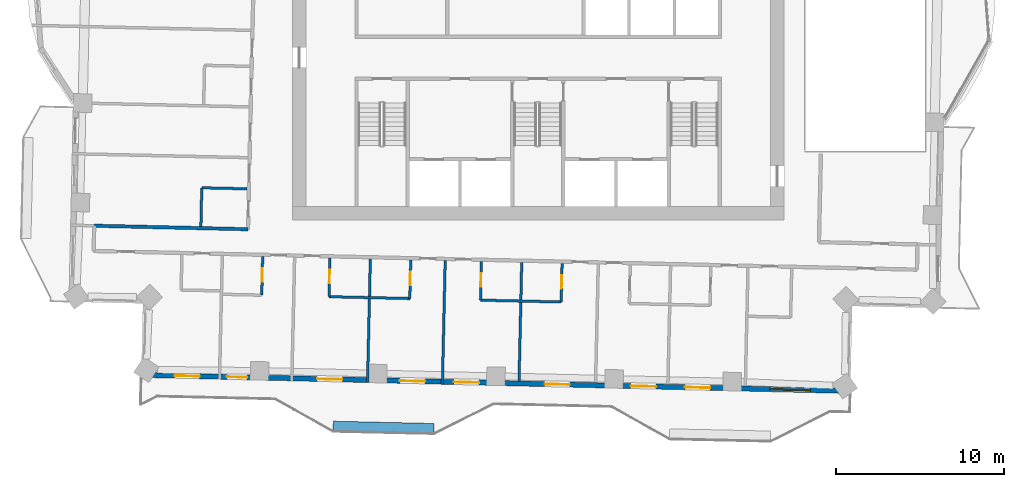
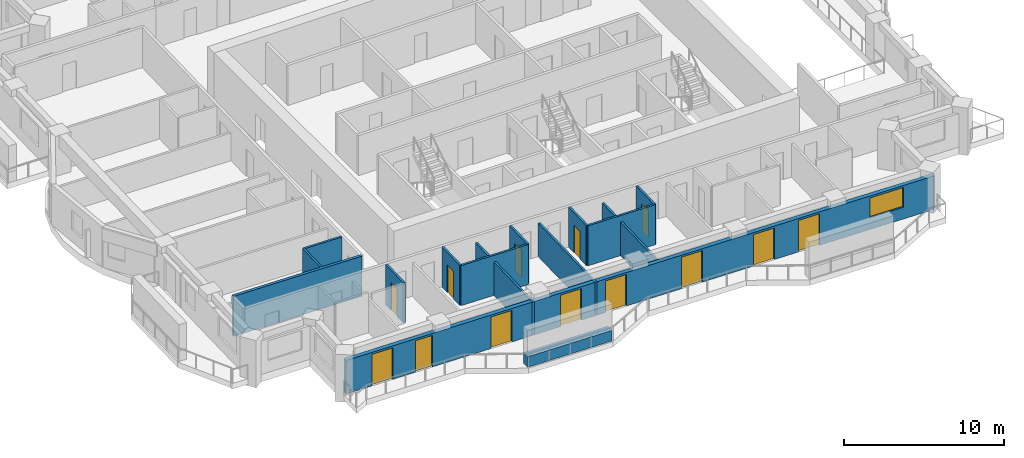
# One storey, part 6 of 16: 15 walls, 13 doors, 1 window, 14 openings.
"""IFC4 building model written with IfcOpenShell, lengths in metres."""

from ifc_helpers import new_model, si_unit, direction, frame, frame_2d, origin, place, context, subcontext, project, spatial, rectangle, extrude, material, layer, layer_set, type_object, element, fill, save


model = new_model("IFC4")

# Units and contexts
model_context = context("Model", 3, precision=1e-05, world=origin(), true_north=direction((0.0, 1.0)))
body_context = subcontext(model_context, "Body", "Model", "MODEL_VIEW")
ifc_project = project(units=[si_unit("LENGTHUNIT", "METRE"), si_unit("AREAUNIT", "SQUARE_METRE"), si_unit("VOLUMEUNIT", "CUBIC_METRE"), si_unit("PLANEANGLEUNIT", "RADIAN"), si_unit("MASSUNIT", "GRAM", prefix="KILO")], contexts=[model_context])

# Site, building, storey
site_placement = place(None, origin())
site = spatial("IfcSite", under=ifc_project, at=site_placement, CompositionType="ELEMENT")
building_placement = place(site_placement, origin())
building = spatial("IfcBuilding", under=site, at=building_placement, Name="Mangrove Gate Tower", CompositionType="ELEMENT")
storey_placement = place(building_placement, frame((0.0, 0.0, 212.300048828125)))
storey = spatial("IfcBuildingStorey", under=building, at=storey_placement, Name="L54", CompositionType="ELEMENT", Elevation=212.300048828125)

# Wall
ifc_material_1 = material(Name="Gypsum board on steel stud, EI 60", Category="steel")
ifc_layer_1 = layer(ifc_material_1, 0.199951171875)
ifc_layer_set_1 = layer_set([ifc_layer_1], Name="Corridor wall EI 60")
wall_type_1 = type_object("IfcWallType", Name="Corridor wall EI 60", PredefinedType="PARTITIONING", material=ifc_layer_set_1)
wall_1_placement = place(storey_placement, frame((-26.386962890625, -11.94091796875, 0.0), z_axis=(0.0, 0.0, 1.0), x_axis=(0.999741076645, -0.022754772455, 0.0)))
element("IfcWall", 1, at=wall_1_placement, inside=storey, type_object=wall_type_1, Name="WALL-L54-028", PredefinedType="PARTITIONING", context=body_context, shape_type="SweptSolid", body=[
    extrude(rectangle(XDim=9.141357421875, YDim=0.199951171875, at=frame_2d((4.57080078125, 0.0))), origin(), (0.0, 0.0, 1.0), 3.050048828125),
])

# Wall, openings, doors, window
ifc_material_2 = material(Name="Limestone", Category="masonry")
ifc_layer_2 = layer(ifc_material_2, 0.0400390625, Name="Limestone cladding")
ifc_material_3 = material(Name="Ventilated air gap")
ifc_layer_3 = layer(ifc_material_3, 0.0400390625, Name="Ventilated cavity")
ifc_material_4 = material(Name="Mineral wool insulation")
ifc_layer_4 = layer(ifc_material_4, 0.06005859375, Name="Insulation")
ifc_material_5 = material(Name="Breather membrane")
ifc_layer_5 = layer(ifc_material_5, 0.001953125, Name="Breather membrane")
ifc_material_6 = material(Name="Concrete C20/25 blockwork", Category="masonry")
ifc_layer_6 = layer(ifc_material_6, 0.14990234375, Name="Blockwork backing wall")
ifc_material_7 = material(Name="Gypsum plaster")
ifc_layer_7 = layer(ifc_material_7, 0.008056640625, Name="Internal plaster")
ifc_layer_set_2 = layer_set([ifc_layer_2, ifc_layer_3, ifc_layer_4, ifc_layer_5, ifc_layer_6, ifc_layer_7], Name="External wall 300 limestone cladding")
wall_type_2 = type_object("IfcWallType", Name="External wall 300 limestone cladding", PredefinedType="SOLIDWALL", material=ifc_layer_set_2)
wall_2_placement = place(storey_placement, frame((-23.43701171875, -20.81005859375, 0.0), z_axis=(0.0, 0.0, 1.0), x_axis=(0.999742269115, -0.022702320244, 0.0)))
wall_2 = element("IfcWall", 2, at=wall_2_placement, inside=storey, type_object=wall_type_2, Name="WALL-L54-S13", PredefinedType="SOLIDWALL", context=body_context, shape_type="SweptSolid", body=[
    extrude(rectangle(XDim=41.84375, YDim=0.300048828125, at=frame_2d((20.921875, 0.0))), origin(), (0.0, 0.0, 1.0), 2.550048828125),
])
opening_1_placement = place(wall_2_placement, frame((1.824951171875, 0.0, 0.0)))
opening_1 = element("IfcOpeningElement", 3, at=opening_1_placement, cuts=wall_2, Name="Opening BD1", PredefinedType="OPENING", context=body_context, shape_type="SweptSolid", body=[
    extrude(rectangle(XDim=1.5, YDim=2.39990234375, at=frame_2d((0.75, 1.199951171875))), frame((0.0, 0.159912109375, 0.0), z_axis=(0.0, -1.0, 0.0), x_axis=(1.0, 0.0, 0.0)), (0.0, 0.0, 1.0), 0.320068359375),
])
opening_2_placement = place(wall_2_placement, frame((4.93701171875, 0.0, 0.0)))
opening_2 = element("IfcOpeningElement", 4, at=opening_2_placement, cuts=wall_2, Name="Opening BD2", PredefinedType="OPENING", context=body_context, shape_type="SweptSolid", body=[
    extrude(rectangle(XDim=1.199951171875, YDim=2.39990234375, at=frame_2d((0.60009765625, 1.199951171875))), frame((0.0, 0.159912109375, 0.0), z_axis=(0.0, -1.0, 0.0), x_axis=(1.0, 0.0, 0.0)), (0.0, 0.0, 1.0), 0.320068359375),
])
opening_3_placement = place(wall_2_placement, frame((10.300048828125, 0.0, 0.0)))
opening_3 = element("IfcOpeningElement", 5, at=opening_3_placement, cuts=wall_2, Name="Opening BD1", PredefinedType="OPENING", context=body_context, shape_type="SweptSolid", body=[
    extrude(rectangle(XDim=1.5, YDim=2.39990234375, at=frame_2d((0.75, 1.199951171875))), frame((0.0, 0.159912109375, 0.0), z_axis=(0.0, -1.0, 0.0), x_axis=(1.0, 0.0, 0.0)), (0.0, 0.0, 1.0), 0.320068359375),
])
opening_4_placement = place(wall_2_placement, frame((15.22412109375, 0.0, 0.0)))
opening_4 = element("IfcOpeningElement", 6, at=opening_4_placement, cuts=wall_2, Name="Opening BD1", PredefinedType="OPENING", context=body_context, shape_type="SweptSolid", body=[
    extrude(rectangle(XDim=1.5, YDim=2.39990234375, at=frame_2d((0.75, 1.199951171875))), frame((0.0, 0.159912109375, 0.0), z_axis=(0.0, -1.0, 0.0), x_axis=(1.0, 0.0, 0.0)), (0.0, 0.0, 1.0), 0.320068359375),
])
opening_5_placement = place(wall_2_placement, frame((18.43603515625, 0.0, 0.0)))
opening_5 = element("IfcOpeningElement", 7, at=opening_5_placement, cuts=wall_2, Name="Opening BD1", PredefinedType="OPENING", context=body_context, shape_type="SweptSolid", body=[
    extrude(rectangle(XDim=1.5, YDim=2.39990234375, at=frame_2d((0.75, 1.199951171875))), frame((0.0, 0.159912109375, 0.0), z_axis=(0.0, -1.0, 0.0), x_axis=(1.0, 0.0, 0.0)), (0.0, 0.0, 1.0), 0.320068359375),
])
opening_6_placement = place(wall_2_placement, frame((23.824951171875, 0.0, 0.0)))
opening_6 = element("IfcOpeningElement", 8, at=opening_6_placement, cuts=wall_2, Name="Opening BD1", PredefinedType="OPENING", context=body_context, shape_type="SweptSolid", body=[
    extrude(rectangle(XDim=1.5, YDim=2.39990234375, at=frame_2d((0.75, 1.199951171875))), frame((0.0, 0.159912109375, 0.0), z_axis=(0.0, -1.0, 0.0), x_axis=(1.0, 0.0, 0.0)), (0.0, 0.0, 1.0), 0.320068359375),
])
opening_7_placement = place(wall_2_placement, frame((28.947998046875, 0.0, 0.0)))
opening_7 = element("IfcOpeningElement", 9, at=opening_7_placement, cuts=wall_2, Name="Opening BD1", PredefinedType="OPENING", context=body_context, shape_type="SweptSolid", body=[
    extrude(rectangle(XDim=1.5, YDim=2.39990234375, at=frame_2d((0.75, 1.199951171875))), frame((0.0, 0.159912109375, 0.0), z_axis=(0.0, -1.0, 0.0), x_axis=(1.0, 0.0, 0.0)), (0.0, 0.0, 1.0), 0.320068359375),
])
opening_8_placement = place(wall_2_placement, frame((32.159912109375, 0.0, 0.0)))
opening_8 = element("IfcOpeningElement", 10, at=opening_8_placement, cuts=wall_2, Name="Opening BD1", PredefinedType="OPENING", context=body_context, shape_type="SweptSolid", body=[
    extrude(rectangle(XDim=1.5, YDim=2.39990234375, at=frame_2d((0.75, 1.199951171875))), frame((0.0, 0.159912109375, 0.0), z_axis=(0.0, -1.0, 0.0), x_axis=(1.0, 0.0, 0.0)), (0.0, 0.0, 1.0), 0.320068359375),
])
opening_9_placement = place(wall_2_placement, frame((37.22412109375, 0.0, 0.89990234375)))
opening_9 = element("IfcOpeningElement", 11, at=opening_9_placement, cuts=wall_2, Name="Opening W2", PredefinedType="OPENING", context=body_context, shape_type="SweptSolid", body=[
    extrude(rectangle(XDim=2.39990234375, YDim=1.5, at=frame_2d((1.199951171875, 0.75))), frame((0.0, 0.159912109375, 0.0), z_axis=(0.0, -1.0, 0.0), x_axis=(1.0, 0.0, 0.0)), (0.0, 0.0, 1.0), 0.320068359375),
])
ifc_material_8 = material(Name="Aluminium frame with laminated clear glass", Category="aluminium")
door_type_1 = type_object("IfcDoorType", Name="Balcony sliding door 1200x2400", OperationType="SLIDING_TO_LEFT", PredefinedType="DOOR", material=ifc_material_8)
door_1_placement = place(opening_2_placement, origin())
door_1 = element("IfcDoor", 12, at=door_1_placement, inside=storey, type_object=door_type_1, Name="DOOR-L54-S13-2", OperationType="SLIDING_TO_LEFT", OverallHeight=2.39990234375, OverallWidth=1.199951171875, PredefinedType="DOOR", context=body_context, shape_type="SweptSolid", body=[
    extrude(rectangle(XDim=1.199951171875, YDim=2.39990234375, at=frame_2d((0.60009765625, 1.199951171875))), frame((0.0, 0.02490234375, 0.0), z_axis=(0.0, -1.0, 0.0), x_axis=(1.0, 0.0, 0.0)), (0.0, 0.0, 1.0), 0.050048828125),
])
fill(opening_2, door_1)
ifc_material_9 = material(Name="Aluminium frame with laminated clear glass", Category="aluminium")
door_type_2 = type_object("IfcDoorType", Name="Balcony sliding door 1500x2400", OperationType="SLIDING_TO_LEFT", PredefinedType="DOOR", material=ifc_material_9)
door_2_placement = place(opening_1_placement, origin())
door_2 = element("IfcDoor", 13, at=door_2_placement, inside=storey, type_object=door_type_2, Name="DOOR-L54-S13-1", OperationType="SLIDING_TO_LEFT", OverallHeight=2.39990234375, OverallWidth=1.5, PredefinedType="DOOR", context=body_context, shape_type="SweptSolid", body=[
    extrude(rectangle(XDim=1.5, YDim=2.39990234375, at=frame_2d((0.75, 1.199951171875))), frame((0.0, 0.02490234375, 0.0), z_axis=(0.0, -1.0, 0.0), x_axis=(1.0, 0.0, 0.0)), (0.0, 0.0, 1.0), 0.050048828125),
])
fill(opening_1, door_2)
door_3_placement = place(opening_3_placement, origin())
door_3 = element("IfcDoor", 14, at=door_3_placement, inside=storey, type_object=door_type_2, Name="DOOR-L54-S13-3", OperationType="SLIDING_TO_LEFT", OverallHeight=2.39990234375, OverallWidth=1.5, PredefinedType="DOOR", context=body_context, shape_type="SweptSolid", body=[
    extrude(rectangle(XDim=1.5, YDim=2.39990234375, at=frame_2d((0.75, 1.199951171875))), frame((0.0, 0.02490234375, 0.0), z_axis=(0.0, -1.0, 0.0), x_axis=(1.0, 0.0, 0.0)), (0.0, 0.0, 1.0), 0.050048828125),
])
fill(opening_3, door_3)
door_4_placement = place(opening_4_placement, origin())
door_4 = element("IfcDoor", 15, at=door_4_placement, inside=storey, type_object=door_type_2, Name="DOOR-L54-S13-4", OperationType="SLIDING_TO_LEFT", OverallHeight=2.39990234375, OverallWidth=1.5, PredefinedType="DOOR", context=body_context, shape_type="SweptSolid", body=[
    extrude(rectangle(XDim=1.5, YDim=2.39990234375, at=frame_2d((0.75, 1.199951171875))), frame((0.0, 0.02490234375, 0.0), z_axis=(0.0, -1.0, 0.0), x_axis=(1.0, 0.0, 0.0)), (0.0, 0.0, 1.0), 0.050048828125),
])
fill(opening_4, door_4)
door_5_placement = place(opening_5_placement, origin())
door_5 = element("IfcDoor", 16, at=door_5_placement, inside=storey, type_object=door_type_2, Name="DOOR-L54-S13-5", OperationType="SLIDING_TO_LEFT", OverallHeight=2.39990234375, OverallWidth=1.5, PredefinedType="DOOR", context=body_context, shape_type="SweptSolid", body=[
    extrude(rectangle(XDim=1.5, YDim=2.39990234375, at=frame_2d((0.75, 1.199951171875))), frame((0.0, 0.02490234375, 0.0), z_axis=(0.0, -1.0, 0.0), x_axis=(1.0, 0.0, 0.0)), (0.0, 0.0, 1.0), 0.050048828125),
])
fill(opening_5, door_5)
door_6_placement = place(opening_6_placement, origin())
door_6 = element("IfcDoor", 17, at=door_6_placement, inside=storey, type_object=door_type_2, Name="DOOR-L54-S13-6", OperationType="SLIDING_TO_LEFT", OverallHeight=2.39990234375, OverallWidth=1.5, PredefinedType="DOOR", context=body_context, shape_type="SweptSolid", body=[
    extrude(rectangle(XDim=1.5, YDim=2.39990234375, at=frame_2d((0.75, 1.199951171875))), frame((0.0, 0.02490234375, 0.0), z_axis=(0.0, -1.0, 0.0), x_axis=(1.0, 0.0, 0.0)), (0.0, 0.0, 1.0), 0.050048828125),
])
fill(opening_6, door_6)
door_7_placement = place(opening_7_placement, origin())
door_7 = element("IfcDoor", 18, at=door_7_placement, inside=storey, type_object=door_type_2, Name="DOOR-L54-S13-7", OperationType="SLIDING_TO_LEFT", OverallHeight=2.39990234375, OverallWidth=1.5, PredefinedType="DOOR", context=body_context, shape_type="SweptSolid", body=[
    extrude(rectangle(XDim=1.5, YDim=2.39990234375, at=frame_2d((0.75, 1.199951171875))), frame((0.0, 0.02490234375, 0.0), z_axis=(0.0, -1.0, 0.0), x_axis=(1.0, 0.0, 0.0)), (0.0, 0.0, 1.0), 0.050048828125),
])
fill(opening_7, door_7)
door_8_placement = place(opening_8_placement, origin())
door_8 = element("IfcDoor", 19, at=door_8_placement, inside=storey, type_object=door_type_2, Name="DOOR-L54-S13-8", OperationType="SLIDING_TO_LEFT", OverallHeight=2.39990234375, OverallWidth=1.5, PredefinedType="DOOR", context=body_context, shape_type="SweptSolid", body=[
    extrude(rectangle(XDim=1.5, YDim=2.39990234375, at=frame_2d((0.75, 1.199951171875))), frame((0.0, 0.02490234375, 0.0), z_axis=(0.0, -1.0, 0.0), x_axis=(1.0, 0.0, 0.0)), (0.0, 0.0, 1.0), 0.050048828125),
])
fill(opening_8, door_8)
ifc_material_10 = material(Name="Aluminium frame with double-glazed low-e glass", Category="aluminium")
window_type = type_object("IfcWindowType", Name="Corner room window 2400x1500", PartitioningType="DOUBLE_PANEL_VERTICAL", PredefinedType="WINDOW", material=ifc_material_10)
window_placement = place(opening_9_placement, origin())
window = element("IfcWindow", 20, at=window_placement, inside=storey, type_object=window_type, Name="WIN-L54-S13-9", OverallHeight=1.5, OverallWidth=2.39990234375, PartitioningType="DOUBLE_PANEL_VERTICAL", PredefinedType="WINDOW", context=body_context, shape_type="SweptSolid", body=[
    extrude(rectangle(XDim=2.39990234375, YDim=1.5, at=frame_2d((1.199951171875, 0.75))), frame((0.0, 0.030029296875, 0.0), z_axis=(0.0, -1.0, 0.0), x_axis=(1.0, 0.0, 0.0)), (0.0, 0.0, 1.0), 0.06005859375),
])
fill(opening_9, window)

# Walls
ifc_material_11 = material(Name="Gypsum board on steel stud, EI 60", Category="steel")
ifc_layer_8 = layer(ifc_material_11, 0.14990234375)
ifc_layer_set_3 = layer_set([ifc_layer_8], Name="Party wall 150 EI 60")
wall_type_3 = type_object("IfcWallType", Name="Party wall 150 EI 60", PredefinedType="PARTITIONING", material=ifc_layer_set_3)
wall_3_placement = place(storey_placement, frame((-10.14208984375, -21.261962890625, 0.0), z_axis=(0.0, 0.0, 1.0), x_axis=(0.022720650804, 0.999741852694, 0.0)))
element("IfcWall", 21, at=wall_3_placement, inside=storey, type_object=wall_type_3, Name="WALL-L54-003", PredefinedType="PARTITIONING", context=body_context, shape_type="SweptSolid", body=[
    extrude(rectangle(XDim=7.349853515625, YDim=0.14990234375, at=frame_2d((3.6748046875, 0.0))), origin(), (0.0, 0.0, 1.0), 2.550048828125),
])
wall_4_placement = place(storey_placement, frame((-5.693115234375, -21.363037109375, 0.0), z_axis=(0.0, 0.0, 1.0), x_axis=(0.022753095343, 0.999741114815, 0.0)))
element("IfcWall", 22, at=wall_4_placement, inside=storey, type_object=wall_type_3, Name="WALL-L54-004", PredefinedType="PARTITIONING", context=body_context, shape_type="SweptSolid", body=[
    extrude(rectangle(XDim=7.35009765625, YDim=0.14990234375, at=frame_2d((3.675048828125, 0.0))), origin(), (0.0, 0.0, 1.0), 2.550048828125),
])
wall_5_placement = place(storey_placement, frame((-1.137939453125, -21.166015625, 0.0), z_axis=(0.0, 0.0, 1.0), x_axis=(0.022682859663, 0.99974271084, 0.0)))
element("IfcWall", 23, at=wall_5_placement, inside=storey, type_object=wall_type_3, Name="WALL-L54-005", PredefinedType="PARTITIONING", context=body_context, shape_type="SweptSolid", body=[
    extrude(rectangle(XDim=7.0498046875, YDim=0.14990234375, at=frame_2d((3.52490234375, 0.0))), origin(), (0.0, 0.0, 1.0), 2.550048828125),
])

# Wall, opening, door
wall_6_placement = place(storey_placement, frame((-16.426025390625, -16.068115234375, 0.0), z_axis=(0.0, 0.0, 1.0), x_axis=(0.022612884682, 0.999744296031, 0.0)))
wall_6 = element("IfcWall", 24, at=wall_6_placement, inside=storey, type_object=wall_type_3, Name="WALL-L54-012", PredefinedType="PARTITIONING", context=body_context, shape_type="SweptSolid", body=[
    extrude(rectangle(XDim=2.299560546875, YDim=0.14990234375, at=frame_2d((1.14990234375, 0.0))), origin(), (0.0, 0.0, 1.0), 3.050048828125),
])
opening_10_placement = place(wall_6_placement, frame((0.800048828125, 0.0, 0.0)))
opening_10 = element("IfcOpeningElement", 25, at=opening_10_placement, cuts=wall_6, Name="Opening ED", PredefinedType="OPENING", context=body_context, shape_type="SweptSolid", body=[
    extrude(rectangle(XDim=0.800048828125, YDim=2.10009765625, at=frame_2d((0.39990234375, 1.050048828125))), frame((0.0, 0.0849609375, 0.0), z_axis=(0.0, -1.0, 0.0), x_axis=(1.0, 0.0, 0.0)), (0.0, 0.0, 1.0), 0.169921875),
])
ifc_material_12 = material(Name="Timber door leaf", Category="wood")
door_type_3 = type_object("IfcDoorType", Name="En-suite door 800", OperationType="SINGLE_SWING_LEFT", PredefinedType="DOOR", material=ifc_material_12)
door_9_placement = place(opening_10_placement, origin())
door_9 = element("IfcDoor", 26, at=door_9_placement, inside=storey, type_object=door_type_3, Name="DOOR-L54-ENS-c101", OperationType="SINGLE_SWING_LEFT", OverallHeight=2.10009765625, OverallWidth=0.800048828125, PredefinedType="DOOR", context=body_context, shape_type="SweptSolid", body=[
    extrude(rectangle(XDim=0.800048828125, YDim=2.10009765625, at=frame_2d((0.39990234375, 1.050048828125))), frame((0.0, 0.02490234375, 0.0), z_axis=(0.0, -1.0, 0.0), x_axis=(1.0, 0.0, 0.0)), (0.0, 0.0, 1.0), 0.050048828125),
])
fill(opening_10, door_9)

# Wall
wall_7_placement = place(storey_placement, frame((-12.428955078125, -16.158935546875, 0.0), z_axis=(0.0, 0.0, 1.0), x_axis=(0.99974154664, -0.022734113616, 0.0)))
element("IfcWall", 27, at=wall_7_placement, inside=storey, type_object=wall_type_3, Name="WALL-L54-013", PredefinedType="PARTITIONING", context=body_context, shape_type="SweptSolid", body=[
    extrude(rectangle(XDim=4.80029296875, YDim=0.14990234375, at=frame_2d((2.400146484375, 0.0))), origin(), (0.0, 0.0, 1.0), 3.050048828125),
])

# Wall, opening, door
wall_8_placement = place(storey_placement, frame((-12.427001953125, -16.158935546875, 0.0), z_axis=(0.0, 0.0, 1.0), x_axis=(0.022615284993, 0.999744241736, 0.0)))
wall_8 = element("IfcWall", 28, at=wall_8_placement, inside=storey, type_object=wall_type_3, Name="WALL-L54-014", PredefinedType="PARTITIONING", context=body_context, shape_type="SweptSolid", body=[
    extrude(rectangle(XDim=2.29931640625, YDim=0.14990234375, at=frame_2d((1.149658203125, 0.0))), origin(), (0.0, 0.0, 1.0), 3.050048828125),
])
opening_11_placement = place(wall_8_placement, frame((0.800048828125, 0.0, 0.0)))
opening_11 = element("IfcOpeningElement", 29, at=opening_11_placement, cuts=wall_8, Name="Opening ED", PredefinedType="OPENING", context=body_context, shape_type="SweptSolid", body=[
    extrude(rectangle(XDim=0.800048828125, YDim=2.10009765625, at=frame_2d((0.39990234375, 1.050048828125))), frame((0.0, 0.0849609375, 0.0), z_axis=(0.0, -1.0, 0.0), x_axis=(1.0, 0.0, 0.0)), (0.0, 0.0, 1.0), 0.169921875),
])
door_10_placement = place(opening_11_placement, origin())
door_10 = element("IfcDoor", 30, at=door_10_placement, inside=storey, type_object=door_type_3, Name="DOOR-L54-ENS-c102", OperationType="SINGLE_SWING_RIGHT", OverallHeight=2.10009765625, OverallWidth=0.800048828125, PredefinedType="DOOR", context=body_context, shape_type="SweptSolid", body=[
    extrude(rectangle(XDim=0.800048828125, YDim=2.10009765625, at=frame_2d((0.39990234375, 1.050048828125))), frame((0.0, 0.02490234375, 0.0), z_axis=(0.0, -1.0, 0.0), x_axis=(1.0, 0.0, 0.0)), (0.0, 0.0, 1.0), 0.050048828125),
])
fill(opening_11, door_10)

wall_9_placement = place(storey_placement, frame((-7.6279296875, -16.26806640625, 0.0), z_axis=(0.0, 0.0, 1.0), x_axis=(0.022603288534, 0.999744513037, 0.0)))
wall_9 = element("IfcWall", 31, at=wall_9_placement, inside=storey, type_object=wall_type_3, Name="WALL-L54-015", PredefinedType="PARTITIONING", context=body_context, shape_type="SweptSolid", body=[
    extrude(rectangle(XDim=2.300537109375, YDim=0.14990234375, at=frame_2d((1.150390625, 0.0))), origin(), (0.0, 0.0, 1.0), 3.050048828125),
])
opening_12_placement = place(wall_9_placement, frame((0.800048828125, 0.0, 0.0)))
opening_12 = element("IfcOpeningElement", 32, at=opening_12_placement, cuts=wall_9, Name="Opening ED", PredefinedType="OPENING", context=body_context, shape_type="SweptSolid", body=[
    extrude(rectangle(XDim=0.800048828125, YDim=2.10009765625, at=frame_2d((0.39990234375, 1.050048828125))), frame((0.0, 0.0849609375, 0.0), z_axis=(0.0, -1.0, 0.0), x_axis=(1.0, 0.0, 0.0)), (0.0, 0.0, 1.0), 0.169921875),
])
door_11_placement = place(opening_12_placement, origin())
door_11 = element("IfcDoor", 33, at=door_11_placement, inside=storey, type_object=door_type_3, Name="DOOR-L54-ENS-c103", OperationType="SINGLE_SWING_LEFT", OverallHeight=2.10009765625, OverallWidth=0.800048828125, PredefinedType="DOOR", context=body_context, shape_type="SweptSolid", body=[
    extrude(rectangle(XDim=0.800048828125, YDim=2.10009765625, at=frame_2d((0.39990234375, 1.050048828125))), frame((0.0, 0.02490234375, 0.0), z_axis=(0.0, -1.0, 0.0), x_axis=(1.0, 0.0, 0.0)), (0.0, 0.0, 1.0), 0.050048828125),
])
fill(opening_12, door_11)

# Wall
wall_10_placement = place(storey_placement, frame((-3.430908203125, -16.363037109375, 0.0), z_axis=(0.0, 0.0, 1.0), x_axis=(0.999742675121, -0.022684433919, 0.0)))
element("IfcWall", 34, at=wall_10_placement, inside=storey, type_object=wall_type_3, Name="WALL-L54-016", PredefinedType="PARTITIONING", context=body_context, shape_type="SweptSolid", body=[
    extrude(rectangle(XDim=4.800048828125, YDim=0.14990234375, at=frame_2d((2.39990234375, 0.0))), origin(), (0.0, 0.0, 1.0), 3.050048828125),
])

# Wall, opening, door
wall_11_placement = place(storey_placement, frame((-3.428955078125, -16.363037109375, 0.0), z_axis=(0.0, 0.0, 1.0), x_axis=(0.022612884682, 0.999744296031, 0.0)))
wall_11 = element("IfcWall", 35, at=wall_11_placement, inside=storey, type_object=wall_type_3, Name="WALL-L54-017", PredefinedType="PARTITIONING", context=body_context, shape_type="SweptSolid", body=[
    extrude(rectangle(XDim=2.299560546875, YDim=0.14990234375, at=frame_2d((1.14990234375, 0.0))), origin(), (0.0, 0.0, 1.0), 3.050048828125),
])
opening_13_placement = place(wall_11_placement, frame((0.800048828125, 0.0, 0.0)))
opening_13 = element("IfcOpeningElement", 36, at=opening_13_placement, cuts=wall_11, Name="Opening ED", PredefinedType="OPENING", context=body_context, shape_type="SweptSolid", body=[
    extrude(rectangle(XDim=0.800048828125, YDim=2.10009765625, at=frame_2d((0.39990234375, 1.050048828125))), frame((0.0, 0.0849609375, 0.0), z_axis=(0.0, -1.0, 0.0), x_axis=(1.0, 0.0, 0.0)), (0.0, 0.0, 1.0), 0.169921875),
])
door_12_placement = place(opening_13_placement, origin())
door_12 = element("IfcDoor", 37, at=door_12_placement, inside=storey, type_object=door_type_3, Name="DOOR-L54-ENS-c204", OperationType="SINGLE_SWING_RIGHT", OverallHeight=2.10009765625, OverallWidth=0.800048828125, PredefinedType="DOOR", context=body_context, shape_type="SweptSolid", body=[
    extrude(rectangle(XDim=0.800048828125, YDim=2.10009765625, at=frame_2d((0.39990234375, 1.050048828125))), frame((0.0, 0.02490234375, 0.0), z_axis=(0.0, -1.0, 0.0), x_axis=(1.0, 0.0, 0.0)), (0.0, 0.0, 1.0), 0.050048828125),
])
fill(opening_13, door_12)

wall_12_placement = place(storey_placement, frame((1.3701171875, -16.471923828125, 0.0), z_axis=(0.0, 0.0, 1.0), x_axis=(0.022615284993, 0.999744241736, 0.0)))
wall_12 = element("IfcWall", 38, at=wall_12_placement, inside=storey, type_object=wall_type_3, Name="WALL-L54-018", PredefinedType="PARTITIONING", context=body_context, shape_type="SweptSolid", body=[
    extrude(rectangle(XDim=2.29931640625, YDim=0.14990234375, at=frame_2d((1.149658203125, 0.0))), origin(), (0.0, 0.0, 1.0), 3.050048828125),
])
opening_14_placement = place(wall_12_placement, frame((0.800048828125, 0.0, 0.0)))
opening_14 = element("IfcOpeningElement", 39, at=opening_14_placement, cuts=wall_12, Name="Opening ED", PredefinedType="OPENING", context=body_context, shape_type="SweptSolid", body=[
    extrude(rectangle(XDim=0.800048828125, YDim=2.10009765625, at=frame_2d((0.39990234375, 1.050048828125))), frame((0.0, 0.0849609375, 0.0), z_axis=(0.0, -1.0, 0.0), x_axis=(1.0, 0.0, 0.0)), (0.0, 0.0, 1.0), 0.169921875),
])
door_13_placement = place(opening_14_placement, origin())
door_13 = element("IfcDoor", 40, at=door_13_placement, inside=storey, type_object=door_type_3, Name="DOOR-L54-ENS-c205", OperationType="SINGLE_SWING_LEFT", OverallHeight=2.10009765625, OverallWidth=0.800048828125, PredefinedType="DOOR", context=body_context, shape_type="SweptSolid", body=[
    extrude(rectangle(XDim=0.800048828125, YDim=2.10009765625, at=frame_2d((0.39990234375, 1.050048828125))), frame((0.0, 0.02490234375, 0.0), z_axis=(0.0, -1.0, 0.0), x_axis=(1.0, 0.0, 0.0)), (0.0, 0.0, 1.0), 0.050048828125),
])
fill(opening_14, door_13)

# Walls
wall_13_placement = place(storey_placement, frame((-20.0439453125, -11.985107421875, 0.0), z_axis=(0.0, 0.0, 1.0), x_axis=(0.022612884682, 0.999744296031, 0.0)))
element("IfcWall", 41, at=wall_13_placement, inside=storey, type_object=wall_type_3, Name="WALL-L54-029", PredefinedType="PARTITIONING", context=body_context, shape_type="SweptSolid", body=[
    extrude(rectangle(XDim=2.299560546875, YDim=0.14990234375, at=frame_2d((1.14990234375, 0.0))), origin(), (0.0, 0.0, 1.0), 3.050048828125),
])
wall_14_placement = place(storey_placement, frame((-19.992919921875, -9.68603515625, 0.0), z_axis=(0.0, 0.0, 1.0), x_axis=(0.999744396973, -0.02260842146, 0.0)))
element("IfcWall", 42, at=wall_14_placement, inside=storey, type_object=wall_type_3, Name="WALL-L54-034", PredefinedType="PARTITIONING", context=body_context, shape_type="SweptSolid", body=[
    extrude(rectangle(XDim=2.69970703125, YDim=0.14990234375, at=frame_2d((1.349853515625, 0.0))), origin(), (0.0, 0.0, 1.0), 3.050048828125),
])
ifc_material_13 = material(Name="Concrete C32/40", Category="concrete")
ifc_layer_9 = layer(ifc_material_13, 0.199951171875, Name="Planter trough wall")
ifc_material_14 = material(Name="Bituminous waterproofing membrane")
ifc_layer_10 = layer(ifc_material_14, 0.0048828125, Name="Waterproofing")
ifc_material_15 = material(Name="Drainage board and gravel")
ifc_layer_11 = layer(ifc_material_15, 0.044921875, Name="Drainage layer")
ifc_material_16 = material(Name="Planting soil")
ifc_layer_12 = layer(ifc_material_16, 0.300048828125, Name="Growing medium")
ifc_layer_set_4 = layer_set([ifc_layer_9, ifc_layer_10, ifc_layer_11, ifc_layer_12], Name="Planter wall 550 C32/40")
wall_type_4 = type_object("IfcWallType", Name="Planter wall 550 C32/40", PredefinedType="USERDEFINED", material=ifc_layer_set_4)
wall_15_placement = place(storey_placement, frame((-12.180908203125, -23.8310546875, 0.0), z_axis=(0.0, 0.0, 1.0), x_axis=(0.999739371644, -0.02282955947, 0.0)))
element("IfcWall", 43, at=wall_15_placement, inside=storey, type_object=wall_type_4, Name="PLANTER L54 S0.1", ObjectType="PLANTER", PredefinedType="USERDEFINED", context=body_context, shape_type="SweptSolid", body=[
    extrude(rectangle(XDim=5.999267578125, YDim=0.550048828125, at=frame_2d((2.99951171875, 0.0))), origin(), (0.0, 0.0, 1.0), 0.800048828125),
])

save(model, "model.ifc")
